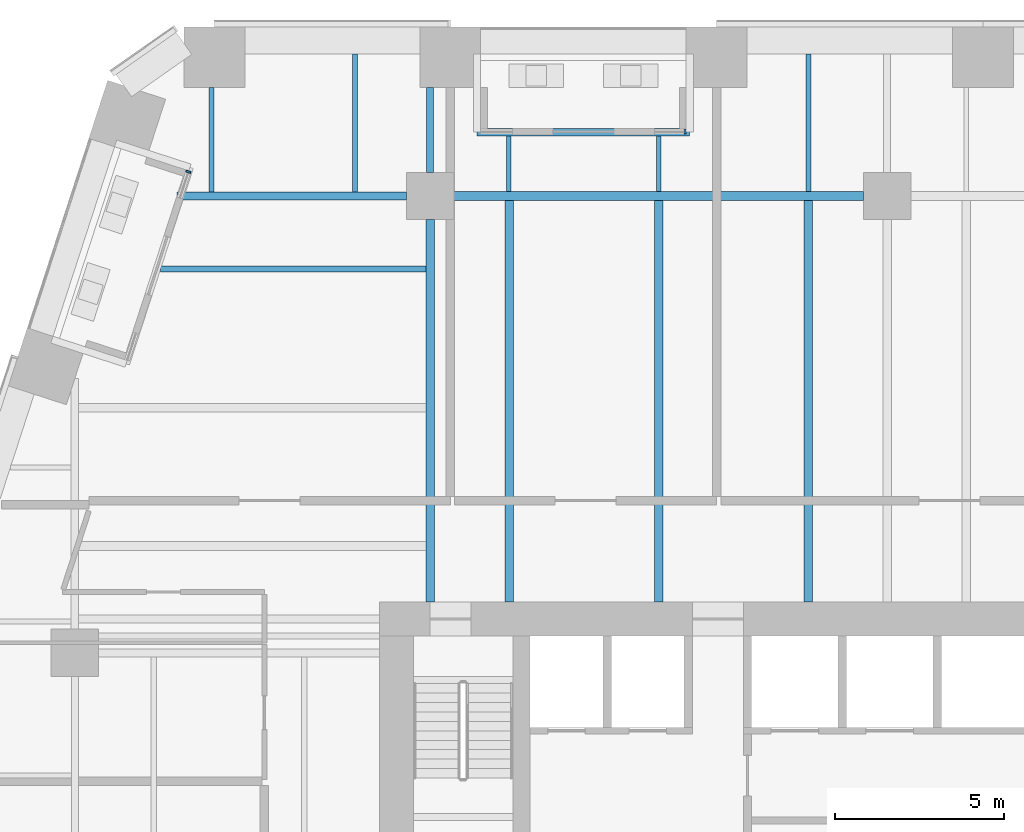
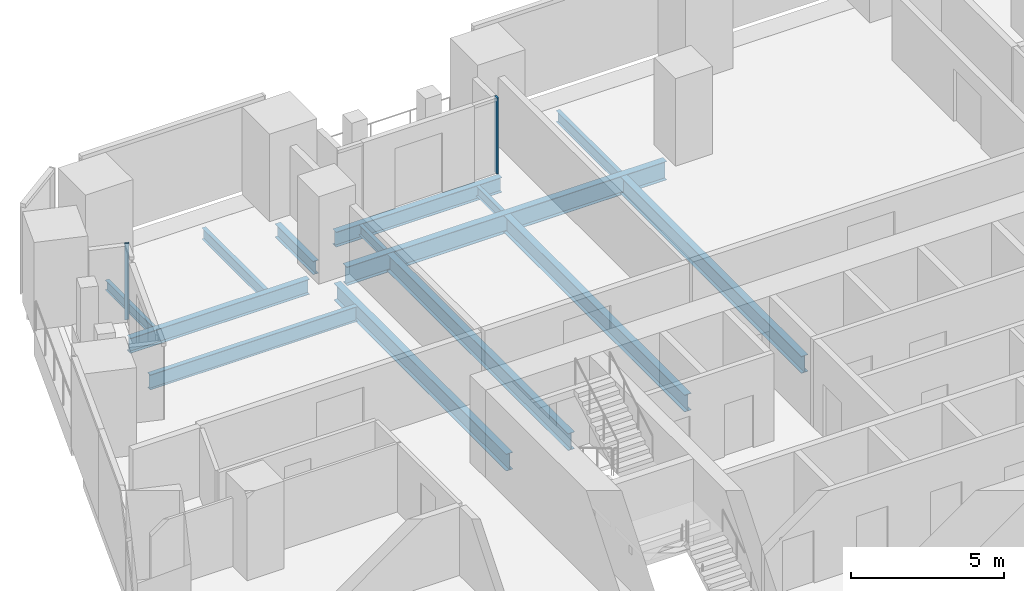
# One storey, part 9 of 28: 14 beams, 2 members, 2 elements without a shape of their own.
"""IFC4 building model written with IfcOpenShell, lengths in metres."""

from ifc_helpers import new_model, si_unit, direction, frame, origin, origin_2d, place, context, subcontext, project, spatial, rectangle, i_section, extrude, material, layer, layer_set, material_profile, profile_set, type_object, element, aggregate, save


model = new_model("IFC4")

# Units and contexts
model_context = context("Model", 3, precision=1e-05, world=origin(), true_north=direction((0.0, 1.0)))
body_context = subcontext(model_context, "Body", "Model", "MODEL_VIEW")
ifc_project = project(units=[si_unit("LENGTHUNIT", "METRE"), si_unit("AREAUNIT", "SQUARE_METRE"), si_unit("VOLUMEUNIT", "CUBIC_METRE"), si_unit("PLANEANGLEUNIT", "RADIAN"), si_unit("MASSUNIT", "GRAM", prefix="KILO")], contexts=[model_context])

# Site, building, storey
site_placement = place(None, origin())
site = spatial("IfcSite", under=ifc_project, at=site_placement, CompositionType="ELEMENT")
building_placement = place(site_placement, origin())
building = spatial("IfcBuilding", under=site, at=building_placement, Name="Isthmus Gate Tower", CompositionType="ELEMENT")
storey_placement = place(building_placement, frame((0.0, 0.0, 68.85009765625)))
storey = spatial("IfcBuildingStorey", under=building, at=storey_placement, Name="L15", CompositionType="ELEMENT", Elevation=68.85009765625)

# Curtain wall, member
ifc_material_1 = material(Name="Aluminium, pale champagne anodised", Category="aluminium")
ifc_layer = layer(ifc_material_1, 0.14990234375)
ifc_layer_set = layer_set([ifc_layer], Name="CW-6 LOGGIA BACK WALL GLAZING 150 DEEP")
curtain_wall_type = type_object("IfcCurtainWallType", Name="CW-6 LOGGIA BACK WALL GLAZING 150 DEEP", PredefinedType="NOTDEFINED", material=ifc_layer_set)
curtain_wall_1_placement = place(storey_placement, origin())
curtain_wall_1 = element("IfcCurtainWall", 1, at=curtain_wall_1_placement, inside=storey, type_object=curtain_wall_type, Name="CW-6 N L15", PredefinedType="NOTDEFINED")
ifc_material_2 = material(Name="Aluminium, pale champagne anodised", Category="aluminium")
ifc_material_profile_1 = material_profile(ifc_material_2, rectangle(XDim=0.06005859375, YDim=0.14990234375, at=origin_2d()), Name="60x150")
ifc_profile_set_1 = profile_set([ifc_material_profile_1], Name="Aluminium, pale champagne anodised")
member_type = type_object("IfcMemberType", Name="CW-6 MULLION 60 X 150", PredefinedType="MULLION", material=ifc_profile_set_1)
member_1_placement = place(storey_placement, frame((-5.96728515625, 28.89990234375, 0.0), z_axis=(0.0, 0.0, 1.0), x_axis=(-1.0, 0.0, 0.0)))
member_1 = element("IfcMember", 2, at=member_1_placement, type_object=member_type, Name="CW-6 mullion", PredefinedType="MULLION", context=body_context, shape_type="SweptSolid", body=[
    extrude(rectangle(XDim=0.06005859375, YDim=0.14990234375, at=origin_2d()), origin(), (0.0, 0.0, 1.0), 3.0498046875),
])
aggregate(curtain_wall_1, [member_1])

curtain_wall_2_placement = place(storey_placement, origin())
curtain_wall_2 = element("IfcCurtainWall", 3, at=curtain_wall_2_placement, inside=storey, type_object=curtain_wall_type, Name="CW-6 NW L15", PredefinedType="NOTDEFINED")
member_2_placement = place(storey_placement, frame((-20.646240234375, 27.716552734375, 0.0), z_axis=(0.0, 0.0, 1.0), x_axis=(-0.309016994375, -0.951056516295, 0.0)))
member_2 = element("IfcMember", 4, at=member_2_placement, type_object=member_type, Name="CW-6 mullion", PredefinedType="MULLION", context=body_context, shape_type="SweptSolid", body=[
    extrude(rectangle(XDim=0.06005859375, YDim=0.14990234375, at=origin_2d()), origin(), (0.0, 0.0, 1.0), 3.0498046875),
])
aggregate(curtain_wall_2, [member_2])

# Beams
ifc_material_3 = material(Name="Structural steel ASTM A992 Gr 50", Category="steel")
ifc_material_profile_2 = material_profile(ifc_material_3, i_section(OverallWidth=0.1396484375, OverallDepth=0.4033203125, WebThickness=0.00634765625, FlangeThickness=0.010986328125, at=origin_2d()), Name="W16X31")
ifc_profile_set_2 = profile_set([ifc_material_profile_2], Name="Structural steel ASTM A992 Gr 50")
beam_type_1 = type_object("IfcBeamType", Name="STEEL FLOOR BEAM W16X31", PredefinedType="JOIST", material=ifc_profile_set_2)
beam_1_placement = place(storey_placement, frame((-19.959716796875, 27.1142578125, -0.351806640625), z_axis=(0.0, 1.0, 0.0), x_axis=(-1.0, 0.0, 0.0)))
element("IfcBeam", 5, at=beam_1_placement, inside=storey, type_object=beam_type_1, Name="str-beam-L15-10-00", PredefinedType="JOIST", context=body_context, shape_type="SweptSolid", body=[
    extrude(i_section(OverallWidth=0.1396484375, OverallDepth=0.4033203125, WebThickness=0.00634765625, FlangeThickness=0.010986328125, at=origin_2d()), origin(), (0.0, 0.0, 1.0), 3.085693359375),
])
for number, where, z_axis, x_axis, name in (
    (6, (-11.18017578125, 27.1318359375, -0.351806640625), (0.0, 1.0, 0.0), (-1.0, 0.0, 0.0), "str-beam-L15-18-00"),
    (7, (-6.75, 27.1318359375, -0.351806640625), (0.0, 1.0, 0.0), (-1.0, 0.0, 0.0), "str-beam-L15-18-01"),
):
    element("IfcBeam", number, at=place(storey_placement, frame(where, z_axis=z_axis, x_axis=x_axis)), inside=storey, type_object=beam_type_1, Name=name, PredefinedType="JOIST", context=body_context, shape_type="SweptSolid", body=[
        extrude(i_section(OverallWidth=0.1396484375, OverallDepth=0.4033203125, WebThickness=0.00634765625, FlangeThickness=0.010986328125, at=origin_2d()), origin(), (0.0, 0.0, 1.0), 1.6396484375),
    ])
ifc_material_4 = material(Name="Structural steel ASTM A992 Gr 50", Category="steel")
ifc_material_profile_3 = material_profile(ifc_material_4, i_section(OverallWidth=0.15234375, OverallDepth=0.45068359375, WebThickness=0.0078125, FlangeThickness=0.010986328125, at=origin_2d()), Name="W18X35")
ifc_profile_set_3 = profile_set([ifc_material_profile_3], Name="Structural steel ASTM A992 Gr 50")
beam_type_2 = type_object("IfcBeamType", Name="STEEL FLOOR BEAM W18X35", PredefinedType="JOIST", material=ifc_profile_set_3)
beam_2_placement = place(storey_placement, frame((-15.72314453125, 27.1142578125, -0.37548828125), z_axis=(0.0, 1.0, 0.0), x_axis=(-1.0, 0.0, 0.0)))
element("IfcBeam", 8, at=beam_2_placement, inside=storey, type_object=beam_type_2, Name="str-beam-L15-10-01", PredefinedType="JOIST", context=body_context, shape_type="SweptSolid", body=[
    extrude(i_section(OverallWidth=0.15234375, OverallDepth=0.45068359375, WebThickness=0.0078125, FlangeThickness=0.010986328125, at=origin_2d()), origin(), (0.0, 0.0, 1.0), 4.085693359375),
])
beam_3_placement = place(storey_placement, frame((-2.31982421875, 27.1318359375, -0.37548828125), z_axis=(0.0, 1.0, 0.0), x_axis=(-1.0, 0.0, 0.0)))
element("IfcBeam", 9, at=beam_3_placement, inside=storey, type_object=beam_type_2, Name="str-beam-L15-18-02", PredefinedType="JOIST", context=body_context, shape_type="SweptSolid", body=[
    extrude(i_section(OverallWidth=0.15234375, OverallDepth=0.45068359375, WebThickness=0.0078125, FlangeThickness=0.010986328125, at=origin_2d()), origin(), (0.0, 0.0, 1.0), 4.068115234375),
])
ifc_material_5 = material(Name="Structural steel ASTM A992 Gr 50", Category="steel")
ifc_material_profile_4 = material_profile(ifc_material_5, i_section(OverallWidth=0.177734375, OverallDepth=0.60009765625, WebThickness=0.009521484375, FlangeThickness=0.0126953125, at=origin_2d()), Name="W24X55")
ifc_profile_set_4 = profile_set([ifc_material_profile_4], Name="Structural steel ASTM A992 Gr 50")
beam_type_3 = type_object("IfcBeamType", Name="STEEL FLOOR BEAM W24X55", PredefinedType="JOIST", material=ifc_profile_set_4)
beam_4_placement = place(storey_placement, frame((-21.4658203125, 24.840576171875, -0.4501953125), z_axis=(1.0, 0.0, 0.0), x_axis=(0.0, 1.0, 0.0)))
element("IfcBeam", 10, at=beam_4_placement, inside=storey, type_object=beam_type_3, Name="str-beam-L15-09-02", PredefinedType="JOIST", context=body_context, shape_type="SweptSolid", body=[
    extrude(i_section(OverallWidth=0.177734375, OverallDepth=0.60009765625, WebThickness=0.009521484375, FlangeThickness=0.0126953125, at=origin_2d()), origin(), (0.0, 0.0, 1.0), 7.8388671875),
])
ifc_material_6 = material(Name="Structural steel ASTM A992 Gr 50", Category="steel")
ifc_material_profile_5 = material_profile(ifc_material_6, i_section(OverallWidth=0.25390625, OverallDepth=0.679443359375, WebThickness=0.010986328125, FlangeThickness=0.015869140625, at=origin_2d()), Name="W27X84")
ifc_profile_set_5 = profile_set([ifc_material_profile_5], Name="Structural steel ASTM A992 Gr 50")
beam_type_4 = type_object("IfcBeamType", Name="STEEL FLOOR BEAM W27X84", PredefinedType="JOIST", material=ifc_profile_set_5)
for number, where, z_axis, x_axis, name in (
    (11, (-11.165283203125, 15.0, -0.48974609375), (0.0, 1.0, 0.0), (-1.0, 0.0, 0.0), "str-beam-L15-17-00"),
    (12, (-6.75, 15.0, -0.48974609375), (0.0, 1.0, 0.0), (-1.0, 0.0, 0.0), "str-beam-L15-17-01"),
    (13, (-2.334716796875, 15.0, -0.48974609375), (0.0, 1.0, 0.0), (-1.0, 0.0, 0.0), "str-beam-L15-17-02"),
):
    element("IfcBeam", number, at=place(storey_placement, frame(where, z_axis=z_axis, x_axis=x_axis)), inside=storey, type_object=beam_type_4, Name=name, PredefinedType="JOIST", context=body_context, shape_type="SweptSolid", body=[
        extrude(i_section(OverallWidth=0.25390625, OverallDepth=0.679443359375, WebThickness=0.010986328125, FlangeThickness=0.015869140625, at=origin_2d()), origin(), (0.0, 0.0, 1.0), 11.8681640625),
    ])
ifc_material_7 = material(Name="Structural steel ASTM A992 Gr 50", Category="steel")
ifc_material_profile_6 = material_profile(ifc_material_7, i_section(OverallWidth=0.20947265625, OverallDepth=0.533447265625, WebThickness=0.009521484375, FlangeThickness=0.015869140625, at=origin_2d()), Name="W21X62")
ifc_profile_set_6 = profile_set([ifc_material_profile_6], Name="Structural steel ASTM A992 Gr 50")
beam_type_5 = type_object("IfcBeamType", Name="STEEL GIRDER W21X62", PredefinedType="BEAM", material=ifc_profile_set_6)
beam_5_placement = place(storey_placement, frame((-13.5, 27.699951171875, -0.416748046875), z_axis=(0.0, 1.0, 0.0), x_axis=(-1.0, 0.0, 0.0)))
element("IfcBeam", 14, at=beam_5_placement, inside=storey, type_object=beam_type_5, Name="str-girder-L15-27", PredefinedType="BEAM", context=body_context, shape_type="SweptSolid", body=[
    extrude(i_section(OverallWidth=0.20947265625, OverallDepth=0.533447265625, WebThickness=0.009521484375, FlangeThickness=0.015869140625, at=origin_2d()), origin(), (0.0, 0.0, 1.0), 2.5),
])
ifc_material_8 = material(Name="Structural steel ASTM A992 Gr 50", Category="steel")
ifc_material_profile_7 = material_profile(ifc_material_8, i_section(OverallWidth=0.228515625, OverallDepth=0.603271484375, WebThickness=0.010986328125, FlangeThickness=0.014404296875, at=origin_2d()), Name="W24X68")
ifc_profile_set_7 = profile_set([ifc_material_profile_7], Name="Structural steel ASTM A992 Gr 50")
beam_type_6 = type_object("IfcBeamType", Name="STEEL GIRDER W24X68", PredefinedType="BEAM", material=ifc_profile_set_7)
beam_6_placement = place(storey_placement, frame((-20.984375, 27.0, -0.45166015625), z_axis=(1.0, 0.0, 0.0), x_axis=(0.0, 1.0, 0.0)))
element("IfcBeam", 15, at=beam_6_placement, inside=storey, type_object=beam_type_6, Name="str-girder-L15-16", PredefinedType="BEAM", context=body_context, shape_type="SweptSolid", body=[
    extrude(i_section(OverallWidth=0.228515625, OverallDepth=0.603271484375, WebThickness=0.010986328125, FlangeThickness=0.014404296875, at=origin_2d()), origin(), (0.0, 0.0, 1.0), 6.784423828125),
])
ifc_material_9 = material(Name="Structural steel ASTM A992 Gr 50", Category="steel")
ifc_material_profile_8 = material_profile(ifc_material_9, i_section(OverallWidth=0.25390625, OverallDepth=0.679443359375, WebThickness=0.010986328125, FlangeThickness=0.015869140625, at=origin_2d()), Name="W27X84")
ifc_profile_set_8 = profile_set([ifc_material_profile_8], Name="Structural steel ASTM A992 Gr 50")
beam_type_7 = type_object("IfcBeamType", Name="STEEL GIRDER W27X84", PredefinedType="BEAM", material=ifc_profile_set_8)
beam_7_placement = place(storey_placement, frame((-13.5, 15.0, -0.48974609375), z_axis=(0.0, 1.0, 0.0), x_axis=(-1.0, 0.0, 0.0)))
element("IfcBeam", 16, at=beam_7_placement, inside=storey, type_object=beam_type_7, Name="str-girder-L15-26", PredefinedType="BEAM", context=body_context, shape_type="SweptSolid", body=[
    extrude(i_section(OverallWidth=0.25390625, OverallDepth=0.679443359375, WebThickness=0.010986328125, FlangeThickness=0.015869140625, at=origin_2d()), origin(), (0.0, 0.0, 1.0), 11.300048828125),
])
ifc_material_10 = material(Name="Structural steel ASTM A992 Gr 50", Category="steel")
ifc_material_profile_9 = material_profile(ifc_material_10, i_section(OverallWidth=0.263427734375, OverallDepth=0.749267578125, WebThickness=0.0126953125, FlangeThickness=0.015869140625, at=origin_2d()), Name="W30X90")
ifc_profile_set_9 = profile_set([ifc_material_profile_9], Name="Structural steel ASTM A992 Gr 50")
beam_type_8 = type_object("IfcBeamType", Name="STEEL GIRDER W30X90", PredefinedType="BEAM", material=ifc_profile_set_9)
beam_8_placement = place(storey_placement, frame((-12.800048828125, 27.0, -0.524658203125), z_axis=(1.0, 0.0, 0.0), x_axis=(0.0, 1.0, 0.0)))
element("IfcBeam", 17, at=beam_8_placement, inside=storey, type_object=beam_type_8, Name="str-girder-L15-17", PredefinedType="BEAM", context=body_context, shape_type="SweptSolid", body=[
    extrude(i_section(OverallWidth=0.263427734375, OverallDepth=0.749267578125, WebThickness=0.0126953125, FlangeThickness=0.015869140625, at=origin_2d()), origin(), (0.0, 0.0, 1.0), 12.10009765625),
])
ifc_material_11 = material(Name="Structural steel ASTM A992 Gr 50", Category="steel")
ifc_material_profile_10 = material_profile(ifc_material_11, i_section(OverallWidth=0.228515625, OverallDepth=0.603271484375, WebThickness=0.010986328125, FlangeThickness=0.014404296875, at=origin_2d()), Name="W24X68")
ifc_profile_set_10 = profile_set([ifc_material_profile_10], Name="Structural steel ASTM A992 Gr 50")
beam_type_9 = type_object("IfcBeamType", Name="STEEL TRIMMER W24X68", PredefinedType="BEAM", material=ifc_profile_set_10)
beam_9_placement = place(storey_placement, frame((-5.83251953125, 28.8857421875, -0.45166015625), z_axis=(-1.0, 0.0, 0.0), x_axis=(0.0, -1.0, 0.0)))
element("IfcBeam", 18, at=beam_9_placement, inside=storey, type_object=beam_type_9, Name="str-loggiatrim-L15-01-B", PredefinedType="BEAM", context=body_context, shape_type="SweptSolid", body=[
    extrude(i_section(OverallWidth=0.228515625, OverallDepth=0.603271484375, WebThickness=0.010986328125, FlangeThickness=0.014404296875, at=origin_2d()), origin(), (0.0, 0.0, 1.0), 6.279052734375),
])

save(model, "model.ifc")
